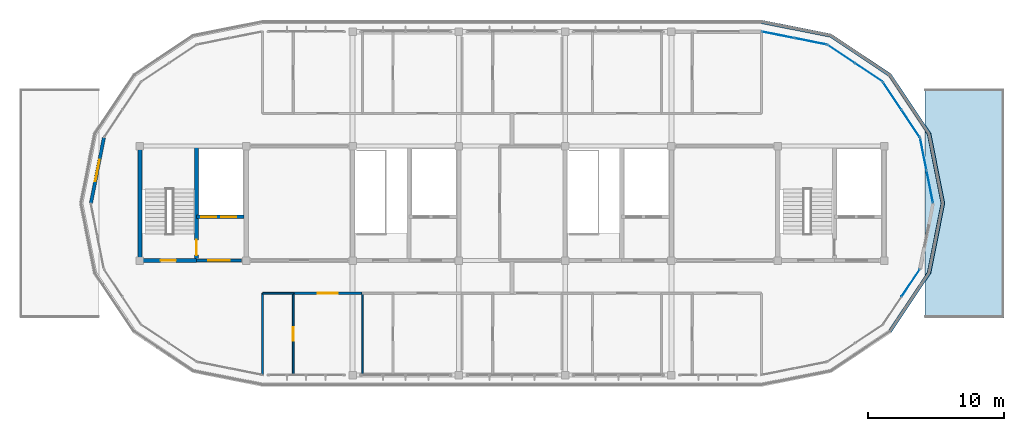
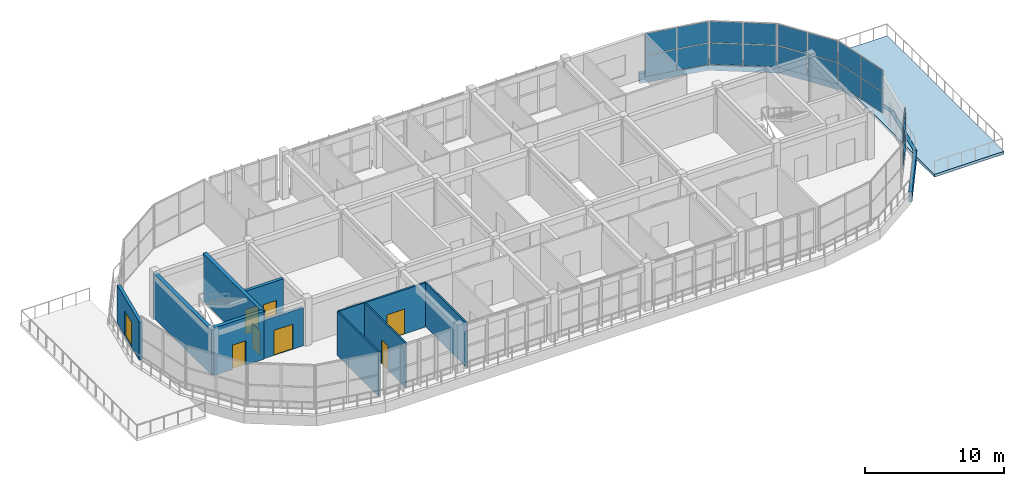
# One storey, part 28 of 33: 24 plates, 11 walls, 8 doors, 1 slab, 8 openings, 5 elements without a shape of their own.
"""IFC4 building model written with IfcOpenShell, lengths in metres."""

from ifc_helpers import new_model, si_unit, direction, frame, frame_2d, origin, origin_2d, place, context, subcontext, project, spatial, polyline, rectangle, outline, extrude, material, layer, layer_set, type_object, element, fill, aggregate, save


model = new_model("IFC4")

# Units and contexts
model_context = context("Model", 3, precision=1e-05, world=origin(), true_north=direction((0.0, 1.0)))
body_context = subcontext(model_context, "Body", "Model", "MODEL_VIEW")
ifc_project = project(units=[si_unit("LENGTHUNIT", "METRE"), si_unit("AREAUNIT", "SQUARE_METRE"), si_unit("VOLUMEUNIT", "CUBIC_METRE"), si_unit("PLANEANGLEUNIT", "RADIAN"), si_unit("MASSUNIT", "GRAM", prefix="KILO")], contexts=[model_context])

# Site, building, storey
site_placement = place(None, origin())
site = spatial("IfcSite", under=ifc_project, at=site_placement, CompositionType="ELEMENT")
building_placement = place(site_placement, origin())
building = spatial("IfcBuilding", under=site, at=building_placement, Name="Zizhar Promenade General Hospital", CompositionType="ELEMENT")
storey_placement = place(building_placement, frame((0.0, 0.0, 39.0)))
storey = spatial("IfcBuildingStorey", under=building, at=storey_placement, Name="L09", CompositionType="ELEMENT", Elevation=39.0)

# Curtain wall, plates
ifc_material_1 = material(Name="Anodised aluminium 6063-T6 and low-E glass", Category="aluminium")
ifc_layer_1 = layer(ifc_material_1, 0.159912109375)
ifc_layer_set_1 = layer_set([ifc_layer_1], Name="Anodised aluminium 6063-T6 and low-E glass")
curtain_wall_type = type_object("IfcCurtainWallType", Name="CW-WARD-ARC", PredefinedType="NOTDEFINED", material=ifc_layer_set_1)
curtain_wall_1_placement = place(storey_placement, origin())
curtain_wall_1 = element("IfcCurtainWall", 1, at=curtain_wall_1_placement, inside=storey, type_object=curtain_wall_type, Name="Ward Semicircular End Glazing L09-03", PredefinedType="NOTDEFINED")
ifc_material_2 = material(Name="Low-E solar-control glass", Category="glass")
ifc_layer_2 = layer(ifc_material_2, 0.031982421875)
ifc_layer_set_2 = layer_set([ifc_layer_2], Name="Low-E solar-control glass")
plate_type_1 = type_object("IfcPlateType", Name="CWP-GLZ-32", PredefinedType="CURTAIN_PANEL", material=ifc_layer_set_2)
plate_1_placement = place(storey_placement, frame((103.349609375, 6.743896484375, 0.06005859375), z_axis=(0.0, 0.0, 1.0), x_axis=(-0.555582352095, -0.831461514468, 0.0)))
plate_1 = element("IfcPlate", 2, at=plate_1_placement, type_object=plate_type_1, Name="CW-12 panel 1.1", PredefinedType="CURTAIN_PANEL", context=body_context, shape_type="SweptSolid", body=[
    extrude(rectangle(XDim=2.3681640625, YDim=0.031982421875, at=origin_2d()), origin(), (0.0, 0.0, 1.0), 1.860107421875),
])
plate_2_placement = place(storey_placement, frame((103.349609375, 6.743896484375, 1.97998046875), z_axis=(0.0, 0.0, 1.0), x_axis=(-0.555582352095, -0.831461514468, 0.0)))
plate_2 = element("IfcPlate", 3, at=plate_2_placement, type_object=plate_type_1, Name="CW-12 panel 1.2", PredefinedType="CURTAIN_PANEL", context=body_context, shape_type="SweptSolid", body=[
    extrude(rectangle(XDim=2.3681640625, YDim=0.031982421875, at=origin_2d()), origin(), (0.0, 0.0, 1.0), 1.860107421875),
])
aggregate(curtain_wall_1, [plate_1, plate_2])

curtain_wall_2_placement = place(storey_placement, origin())
curtain_wall_2 = element("IfcCurtainWall", 4, at=curtain_wall_2_placement, inside=storey, type_object=curtain_wall_type, Name="Ward Semicircular End Glazing L09-05", PredefinedType="NOTDEFINED")
plate_3_placement = place(storey_placement, frame((104.28369140625, 16.20166015625, 0.06005859375), z_axis=(0.0, 0.0, 1.0), x_axis=(0.195087259275, -0.980785889615, 0.0)))
plate_3 = element("IfcPlate", 5, at=plate_3_placement, type_object=plate_type_1, Name="CW-12 panel 1.1", PredefinedType="CURTAIN_PANEL", context=body_context, shape_type="SweptSolid", body=[
    extrude(rectangle(XDim=2.3681640625, YDim=0.031982421875, at=origin_2d()), origin(), (0.0, 0.0, 1.0), 1.860107421875),
])
plate_4_placement = place(storey_placement, frame((104.28369140625, 16.20166015625, 1.97998046875), z_axis=(0.0, 0.0, 1.0), x_axis=(0.195087259275, -0.980785889615, 0.0)))
plate_4 = element("IfcPlate", 6, at=plate_4_placement, type_object=plate_type_1, Name="CW-12 panel 1.2", PredefinedType="CURTAIN_PANEL", context=body_context, shape_type="SweptSolid", body=[
    extrude(rectangle(XDim=2.3681640625, YDim=0.031982421875, at=origin_2d()), origin(), (0.0, 0.0, 1.0), 1.860107421875),
])
plate_5_placement = place(storey_placement, frame((104.75732421875, 13.820068359375, 0.06005859375), z_axis=(0.0, 0.0, 1.0), x_axis=(0.195087259275, -0.980785889615, 0.0)))
plate_5 = element("IfcPlate", 7, at=plate_5_placement, type_object=plate_type_1, Name="CW-12 panel 2.1", PredefinedType="CURTAIN_PANEL", context=body_context, shape_type="SweptSolid", body=[
    extrude(rectangle(XDim=2.3681640625, YDim=0.031982421875, at=origin_2d()), origin(), (0.0, 0.0, 1.0), 1.860107421875),
])
plate_6_placement = place(storey_placement, frame((104.75732421875, 13.820068359375, 1.97998046875), z_axis=(0.0, 0.0, 1.0), x_axis=(0.195087259275, -0.980785889615, 0.0)))
plate_6 = element("IfcPlate", 8, at=plate_6_placement, type_object=plate_type_1, Name="CW-12 panel 2.2", PredefinedType="CURTAIN_PANEL", context=body_context, shape_type="SweptSolid", body=[
    extrude(rectangle(XDim=2.3681640625, YDim=0.031982421875, at=origin_2d()), origin(), (0.0, 0.0, 1.0), 1.860107421875),
])
aggregate(curtain_wall_2, [plate_3, plate_4, plate_5, plate_6])

curtain_wall_3_placement = place(storey_placement, origin())
curtain_wall_3 = element("IfcCurtainWall", 9, at=curtain_wall_3_placement, inside=storey, type_object=curtain_wall_type, Name="Ward Semicircular End Glazing L09-06", PredefinedType="NOTDEFINED")
plate_7_placement = place(storey_placement, frame((102.000732421875, 20.47509765625, 0.06005859375), z_axis=(0.0, 0.0, 1.0), x_axis=(0.555582352095, -0.831461514468, 0.0)))
plate_7 = element("IfcPlate", 10, at=plate_7_placement, type_object=plate_type_1, Name="CW-12 panel 1.1", PredefinedType="CURTAIN_PANEL", context=body_context, shape_type="SweptSolid", body=[
    extrude(rectangle(XDim=2.3681640625, YDim=0.031982421875, at=origin_2d()), origin(), (0.0, 0.0, 1.0), 1.860107421875),
])
plate_8_placement = place(storey_placement, frame((102.000732421875, 20.47509765625, 1.97998046875), z_axis=(0.0, 0.0, 1.0), x_axis=(0.555582352095, -0.831461514468, 0.0)))
plate_8 = element("IfcPlate", 11, at=plate_8_placement, type_object=plate_type_1, Name="CW-12 panel 1.2", PredefinedType="CURTAIN_PANEL", context=body_context, shape_type="SweptSolid", body=[
    extrude(rectangle(XDim=2.3681640625, YDim=0.031982421875, at=origin_2d()), origin(), (0.0, 0.0, 1.0), 1.860107421875),
])
plate_9_placement = place(storey_placement, frame((103.349609375, 18.456298828125, 0.06005859375), z_axis=(0.0, 0.0, 1.0), x_axis=(0.555582352095, -0.831461514468, 0.0)))
plate_9 = element("IfcPlate", 12, at=plate_9_placement, type_object=plate_type_1, Name="CW-12 panel 2.1", PredefinedType="CURTAIN_PANEL", context=body_context, shape_type="SweptSolid", body=[
    extrude(rectangle(XDim=2.3681640625, YDim=0.031982421875, at=origin_2d()), origin(), (0.0, 0.0, 1.0), 1.860107421875),
])
plate_10_placement = place(storey_placement, frame((103.349609375, 18.456298828125, 1.97998046875), z_axis=(0.0, 0.0, 1.0), x_axis=(0.555582352095, -0.831461514468, 0.0)))
plate_10 = element("IfcPlate", 13, at=plate_10_placement, type_object=plate_type_1, Name="CW-12 panel 2.2", PredefinedType="CURTAIN_PANEL", context=body_context, shape_type="SweptSolid", body=[
    extrude(rectangle(XDim=2.3681640625, YDim=0.031982421875, at=origin_2d()), origin(), (0.0, 0.0, 1.0), 1.860107421875),
])
aggregate(curtain_wall_3, [plate_7, plate_8, plate_9, plate_10])

curtain_wall_4_placement = place(storey_placement, origin())
curtain_wall_4 = element("IfcCurtainWall", 14, at=curtain_wall_4_placement, inside=storey, type_object=curtain_wall_type, Name="Ward Semicircular End Glazing L09-07", PredefinedType="NOTDEFINED")
plate_11_placement = place(storey_placement, frame((98.256103515625, 23.5498046875, 0.06005859375), z_axis=(0.0, 0.0, 1.0), x_axis=(0.831461514468, -0.555582352095, 0.0)))
plate_11 = element("IfcPlate", 15, at=plate_11_placement, type_object=plate_type_1, Name="CW-12 panel 1.1", PredefinedType="CURTAIN_PANEL", context=body_context, shape_type="SweptSolid", body=[
    extrude(rectangle(XDim=2.3681640625, YDim=0.031982421875, at=origin_2d()), origin(), (0.0, 0.0, 1.0), 1.860107421875),
])
plate_12_placement = place(storey_placement, frame((98.256103515625, 23.5498046875, 1.97998046875), z_axis=(0.0, 0.0, 1.0), x_axis=(0.831461514468, -0.555582352095, 0.0)))
plate_12 = element("IfcPlate", 16, at=plate_12_placement, type_object=plate_type_1, Name="CW-12 panel 1.2", PredefinedType="CURTAIN_PANEL", context=body_context, shape_type="SweptSolid", body=[
    extrude(rectangle(XDim=2.3681640625, YDim=0.031982421875, at=origin_2d()), origin(), (0.0, 0.0, 1.0), 1.860107421875),
])
plate_13_placement = place(storey_placement, frame((100.275146484375, 22.20068359375, 0.06005859375), z_axis=(0.0, 0.0, 1.0), x_axis=(0.831461514468, -0.555582352095, 0.0)))
plate_13 = element("IfcPlate", 17, at=plate_13_placement, type_object=plate_type_1, Name="CW-12 panel 2.1", PredefinedType="CURTAIN_PANEL", context=body_context, shape_type="SweptSolid", body=[
    extrude(rectangle(XDim=2.3681640625, YDim=0.031982421875, at=origin_2d()), origin(), (0.0, 0.0, 1.0), 1.860107421875),
])
plate_14_placement = place(storey_placement, frame((100.275146484375, 22.20068359375, 1.97998046875), z_axis=(0.0, 0.0, 1.0), x_axis=(0.831461514468, -0.555582352095, 0.0)))
plate_14 = element("IfcPlate", 18, at=plate_14_placement, type_object=plate_type_1, Name="CW-12 panel 2.2", PredefinedType="CURTAIN_PANEL", context=body_context, shape_type="SweptSolid", body=[
    extrude(rectangle(XDim=2.3681640625, YDim=0.031982421875, at=origin_2d()), origin(), (0.0, 0.0, 1.0), 1.860107421875),
])
aggregate(curtain_wall_4, [plate_11, plate_12, plate_13, plate_14])

curtain_wall_5_placement = place(storey_placement, origin())
curtain_wall_5 = element("IfcCurtainWall", 19, at=curtain_wall_5_placement, inside=storey, type_object=curtain_wall_type, Name="Ward Semicircular End Glazing L09-08", PredefinedType="NOTDEFINED")
plate_15_placement = place(storey_placement, frame((93.6201171875, 24.957275390625, 0.06005859375), z_axis=(0.0, 0.0, 1.0), x_axis=(0.980785889615, -0.195087259275, 0.0)))
plate_15 = element("IfcPlate", 20, at=plate_15_placement, type_object=plate_type_1, Name="CW-12 panel 1.1", PredefinedType="CURTAIN_PANEL", context=body_context, shape_type="SweptSolid", body=[
    extrude(rectangle(XDim=2.3681640625, YDim=0.031982421875, at=origin_2d()), origin(), (0.0, 0.0, 1.0), 1.860107421875),
])
plate_16_placement = place(storey_placement, frame((93.6201171875, 24.957275390625, 1.97998046875), z_axis=(0.0, 0.0, 1.0), x_axis=(0.980785889615, -0.195087259275, 0.0)))
plate_16 = element("IfcPlate", 21, at=plate_16_placement, type_object=plate_type_1, Name="CW-12 panel 1.2", PredefinedType="CURTAIN_PANEL", context=body_context, shape_type="SweptSolid", body=[
    extrude(rectangle(XDim=2.3681640625, YDim=0.031982421875, at=origin_2d()), origin(), (0.0, 0.0, 1.0), 1.860107421875),
])
plate_17_placement = place(storey_placement, frame((96.001708984375, 24.483642578125, 0.06005859375), z_axis=(0.0, 0.0, 1.0), x_axis=(0.980785889615, -0.195087259275, 0.0)))
plate_17 = element("IfcPlate", 22, at=plate_17_placement, type_object=plate_type_1, Name="CW-12 panel 2.1", PredefinedType="CURTAIN_PANEL", context=body_context, shape_type="SweptSolid", body=[
    extrude(rectangle(XDim=2.3681640625, YDim=0.031982421875, at=origin_2d()), origin(), (0.0, 0.0, 1.0), 1.860107421875),
])
plate_18_placement = place(storey_placement, frame((96.001708984375, 24.483642578125, 1.97998046875), z_axis=(0.0, 0.0, 1.0), x_axis=(0.980785889615, -0.195087259275, 0.0)))
plate_18 = element("IfcPlate", 23, at=plate_18_placement, type_object=plate_type_1, Name="CW-12 panel 2.2", PredefinedType="CURTAIN_PANEL", context=body_context, shape_type="SweptSolid", body=[
    extrude(rectangle(XDim=2.3681640625, YDim=0.031982421875, at=origin_2d()), origin(), (0.0, 0.0, 1.0), 1.860107421875),
])
aggregate(curtain_wall_5, [plate_15, plate_16, plate_17, plate_18])

# Plates
ifc_material_3 = material(Name="Precast concrete C40/50", Category="concrete")
ifc_layer_3 = layer(ifc_material_3, 0.260009765625)
ifc_layer_set_3 = layer_set([ifc_layer_3], Name="Precast concrete C40/50")
plate_type_2 = type_object("IfcPlateType", Name="PL-PC-BAND950", PredefinedType="USERDEFINED", material=ifc_layer_set_3)
plate_19_placement = place(storey_placement, frame((0.0, 0.0, -0.89990234375)))
element("IfcPlate", 24, at=plate_19_placement, inside=storey, type_object=plate_type_2, Name="Ward Precast Slab Band L09-03", ObjectType="FASCIA_BAND", PredefinedType="USERDEFINED", context=body_context, shape_type="SweptSolid", body=[
    extrude(outline(polyline([(101.91064453125, 3.08935546875), (104.826171875, 7.452880859375), (104.610107421875, 7.597412109375), (101.6943359375, 3.23388671875), (101.91064453125, 3.08935546875)])), origin(), (0.0, 0.0, 1.0), 0.89990234375),
])
plate_20_placement = place(storey_placement, frame((0.0, 0.0, -0.89990234375)))
element("IfcPlate", 25, at=plate_20_placement, inside=storey, type_object=plate_type_2, Name="Ward Precast Slab Band L09-04", ObjectType="FASCIA_BAND", PredefinedType="USERDEFINED", context=body_context, shape_type="SweptSolid", body=[
    extrude(outline(polyline([(104.826171875, 7.452880859375), (105.85009765625, 12.60009765625), (105.594970703125, 12.650634765625), (104.5712890625, 7.503662109375), (104.826171875, 7.452880859375)])), origin(), (0.0, 0.0, 1.0), 0.89990234375),
])
plate_21_placement = place(storey_placement, frame((0.0, 0.0, -0.89990234375)))
element("IfcPlate", 26, at=plate_21_placement, inside=storey, type_object=plate_type_2, Name="Ward Precast Slab Band L09-05", ObjectType="FASCIA_BAND", PredefinedType="USERDEFINED", context=body_context, shape_type="SweptSolid", body=[
    extrude(outline(polyline([(105.85009765625, 12.60009765625), (104.826171875, 17.7470703125), (104.5712890625, 17.6962890625), (105.594970703125, 12.54931640625), (105.85009765625, 12.60009765625)])), origin(), (0.0, 0.0, 1.0), 0.89990234375),
])
plate_22_placement = place(storey_placement, frame((0.0, 0.0, -0.89990234375)))
element("IfcPlate", 27, at=plate_22_placement, inside=storey, type_object=plate_type_2, Name="Ward Precast Slab Band L09-06", ObjectType="FASCIA_BAND", PredefinedType="USERDEFINED", context=body_context, shape_type="SweptSolid", body=[
    extrude(outline(polyline([(104.826171875, 17.7470703125), (101.91064453125, 22.110595703125), (101.6943359375, 21.96630859375), (104.610107421875, 17.602783203125), (104.826171875, 17.7470703125)])), origin(), (0.0, 0.0, 1.0), 0.89990234375),
])
plate_23_placement = place(storey_placement, frame((0.0, 0.0, -0.89990234375)))
element("IfcPlate", 28, at=plate_23_placement, inside=storey, type_object=plate_type_2, Name="Ward Precast Slab Band L09-07", ObjectType="FASCIA_BAND", PredefinedType="USERDEFINED", context=body_context, shape_type="SweptSolid", body=[
    extrude(outline(polyline([(101.91064453125, 22.110595703125), (97.547119140625, 25.026123046875), (97.402587890625, 24.81005859375), (101.76611328125, 21.894287109375), (101.91064453125, 22.110595703125)])), origin(), (0.0, 0.0, 1.0), 0.89990234375),
])
plate_24_placement = place(storey_placement, frame((0.0, 0.0, -0.89990234375)))
element("IfcPlate", 29, at=plate_24_placement, inside=storey, type_object=plate_type_2, Name="Ward Precast Slab Band L09-08", ObjectType="FASCIA_BAND", PredefinedType="USERDEFINED", context=body_context, shape_type="SweptSolid", body=[
    extrude(outline(polyline([(97.547119140625, 25.026123046875), (92.39990234375, 26.050048828125), (92.349365234375, 25.794921875), (97.496337890625, 24.771240234375), (97.547119140625, 25.026123046875)])), origin(), (0.0, 0.0, 1.0), 0.89990234375),
])

# Slab
ifc_material_4 = material(Name="Concrete C35/45", Category="concrete")
ifc_layer_4 = layer(ifc_material_4, 0.25)
ifc_layer_set_4 = layer_set([ifc_layer_4], Name="Concrete C35/45")
slab_type = type_object("IfcSlabType", Name="SLB-TERR-250", PredefinedType="ROOF", material=ifc_layer_set_4)
slab_placement = place(storey_placement, frame((0.0, 0.0, -0.25)))
element("IfcSlab", 30, at=slab_placement, inside=storey, type_object=slab_type, Name="Level L09 East Recovery Terrace Slab", PredefinedType="ROOF", context=body_context, shape_type="SweptSolid", body=[
    extrude(outline(polyline([(104.39990234375, 4.199951171875), (110.199951171875, 4.199951171875), (110.199951171875, 21.0), (104.39990234375, 21.0), (104.39990234375, 4.199951171875)])), origin(), (0.0, 0.0, 1.0), 0.25),
])

# Wall, opening, door
ifc_material_5 = material(Name="Precast concrete C40/50", Category="concrete")
ifc_layer_5 = layer(ifc_material_5, 0.2451171875)
ifc_layer_set_5 = layer_set([ifc_layer_5], Name="Precast concrete C40/50")
wall_type_1 = type_object("IfcWallType", Name="EW-PC-245", PredefinedType="STANDARD", material=ifc_layer_set_5)
wall_1_placement = place(storey_placement, frame((43.199951171875, 12.60009765625, 0.0), z_axis=(0.0, 0.0, 1.0), x_axis=(0.195113286981, 0.980780712108, 0.0)))
wall_1 = element("IfcWall", 31, at=wall_1_placement, inside=storey, type_object=wall_type_1, Name="Ward West Terrace Portal Wall L09", PredefinedType="STANDARD", context=body_context, shape_type="SweptSolid", body=[
    extrude(rectangle(XDim=4.916259765625, YDim=0.2451171875, at=frame_2d((2.4580078125, 0.0))), origin(), (0.0, 0.0, 1.0), 3.3701171875),
])
opening_1_placement = place(wall_1_placement, frame((1.658203125, 0.0, 0.0)))
opening_1 = element("IfcOpeningElement", 32, at=opening_1_placement, cuts=wall_1, Name="Opening ED-05", PredefinedType="OPENING", context=body_context, shape_type="SweptSolid", body=[
    extrude(rectangle(XDim=1.60009765625, YDim=2.199951171875, at=frame_2d((0.800048828125, 1.10009765625))), frame((0.0, 0.132568359375, 0.0), z_axis=(0.0, -1.0, 0.0), x_axis=(1.0, 0.0, 0.0)), (0.0, 0.0, 1.0), 0.26513671875),
])
ifc_material_6 = material(Name="Anodised aluminium 6063-T6 and laminated safety glass", Category="aluminium")
door_type_1 = type_object("IfcDoorType", Name="DR-EXT-TERR-160x220", OperationType="DOUBLE_DOOR_SINGLE_SWING", PredefinedType="DOOR", material=ifc_material_6)
door_1_placement = place(opening_1_placement, origin())
door_1 = element("IfcDoor", 33, at=door_1_placement, inside=storey, type_object=door_type_1, Name="Level L09 West Recovery Terrace Door", OperationType="DOUBLE_DOOR_SINGLE_SWING", OverallHeight=2.199951171875, OverallWidth=1.60009765625, PredefinedType="DOOR", context=body_context, shape_type="SweptSolid", body=[
    extrude(rectangle(XDim=1.60009765625, YDim=2.199951171875, at=frame_2d((0.800048828125, 1.10009765625))), frame((0.0, 0.02490234375, 0.0), z_axis=(0.0, -1.0, 0.0), x_axis=(1.0, 0.0, 0.0)), (0.0, 0.0, 1.0), 0.050048828125),
])
fill(opening_1, door_1)

ifc_material_7 = material(Name="Concrete C35/45", Category="concrete")
ifc_layer_6 = layer(ifc_material_7, 0.215087890625)
ifc_layer_set_6 = layer_set([ifc_layer_6], Name="Concrete C35/45")
wall_type_2 = type_object("IfcWallType", Name="IW-LOBBY-215", PredefinedType="STANDARD", material=ifc_layer_set_6)
wall_2_placement = place(storey_placement, frame((50.949951171875, 8.39990234375, 0.0), z_axis=(0.0, 0.0, 1.0), x_axis=(1.0, 0.0, 0.0)))
wall_2 = element("IfcWall", 34, at=wall_2_placement, inside=storey, type_object=wall_type_2, Name="Core C2 Lift Lobby South Fire Wall (L09)", PredefinedType="STANDARD", context=body_context, shape_type="SweptSolid", body=[
    extrude(rectangle(XDim=3.2900390625, YDim=0.215087890625, at=frame_2d((1.64501953125, 0.0))), origin(), (0.0, 0.0, 1.0), 3.3701171875),
])
opening_2_placement = place(wall_2_placement, frame((0.864990234375, 0.0, 0.0)))
opening_2 = element("IfcOpeningElement", 35, at=opening_2_placement, cuts=wall_2, Name="Opening D-22", PredefinedType="OPENING", context=body_context, shape_type="SweptSolid", body=[
    extrude(rectangle(XDim=1.56005859375, YDim=2.199951171875, at=frame_2d((0.780029296875, 1.10009765625))), frame((0.0, 0.11767578125, 0.0), z_axis=(0.0, -1.0, 0.0), x_axis=(1.0, 0.0, 0.0)), (0.0, 0.0, 1.0), 0.235107421875),
])
ifc_material_8 = material(Name="Steel S355 firefighting lobby pair", Category="steel")
door_type_2 = type_object("IfcDoorType", Name="DR-LOBBY-FF-156x220", OperationType="DOUBLE_DOOR_SINGLE_SWING", PredefinedType="DOOR", material=ifc_material_8)
door_2_placement = place(opening_2_placement, origin())
door_2 = element("IfcDoor", 36, at=door_2_placement, inside=storey, type_object=door_type_2, Name="Core C2 Firefighting Lift Lobby Door (L09)", OperationType="DOUBLE_DOOR_SINGLE_SWING", OverallHeight=2.199951171875, OverallWidth=1.56005859375, PredefinedType="DOOR", context=body_context, shape_type="SweptSolid", body=[
    extrude(rectangle(XDim=1.56005859375, YDim=2.199951171875, at=frame_2d((0.780029296875, 1.10009765625))), frame((0.0, 0.02490234375, 0.0), z_axis=(0.0, -1.0, 0.0), x_axis=(1.0, 0.0, 0.0)), (0.0, 0.0, 1.0), 0.050048828125),
])
fill(opening_2, door_2)

# Wall, openings, doors
ifc_material_9 = material(Name="Concrete C35/45", Category="concrete")
ifc_layer_7 = layer(ifc_material_9, 0.25)
ifc_layer_set_7 = layer_set([ifc_layer_7], Name="Concrete C35/45")
wall_type_3 = type_object("IfcWallType", Name="IW-SHAFT-250", PredefinedType="STANDARD", material=ifc_layer_set_7)
wall_3_placement = place(storey_placement, frame((50.949951171875, 11.60009765625, 0.0), z_axis=(0.0, 0.0, 1.0), x_axis=(1.0, 0.0, 0.0)))
wall_3 = element("IfcWall", 37, at=wall_3_placement, inside=storey, type_object=wall_type_3, Name="Core C2 Lift Shaft Landing Wall (L09)", PredefinedType="STANDARD", context=body_context, shape_type="SweptSolid", body=[
    extrude(rectangle(XDim=3.5, YDim=0.25, at=frame_2d((1.75, 0.0))), origin(), (0.0, 0.0, 1.0), 3.89990234375),
])
opening_3_placement = place(wall_3_placement, frame((0.35009765625, 0.0, 0.0)))
opening_3 = element("IfcOpeningElement", 38, at=opening_3_placement, cuts=wall_3, Name="Opening LD-11", PredefinedType="OPENING", context=body_context, shape_type="SweptSolid", body=[
    extrude(rectangle(XDim=1.10009765625, YDim=2.199951171875, at=frame_2d((0.550048828125, 1.10009765625))), frame((0.0, 0.135009765625, 0.0), z_axis=(0.0, -1.0, 0.0), x_axis=(1.0, 0.0, 0.0)), (0.0, 0.0, 1.0), 0.27001953125),
])
opening_4_placement = place(wall_3_placement, frame((1.800048828125, 0.0, 0.0)))
opening_4 = element("IfcOpeningElement", 39, at=opening_4_placement, cuts=wall_3, Name="Opening LD-11", PredefinedType="OPENING", context=body_context, shape_type="SweptSolid", body=[
    extrude(rectangle(XDim=1.10009765625, YDim=2.199951171875, at=frame_2d((0.550048828125, 1.10009765625))), frame((0.0, 0.135009765625, 0.0), z_axis=(0.0, -1.0, 0.0), x_axis=(1.0, 0.0, 0.0)), (0.0, 0.0, 1.0), 0.27001953125),
])
ifc_material_10 = material(Name="Stainless Steel S355 passenger lift landing door", Category="steel")
door_type_3 = type_object("IfcDoorType", Name="DR-LIFT-LD11", OperationType="SLIDING_TO_LEFT", PredefinedType="DOOR", material=ifc_material_10)
door_3_placement = place(opening_3_placement, origin())
door_3 = element("IfcDoor", 40, at=door_3_placement, inside=storey, type_object=door_type_3, Name="Lift LF-01 Sliding Landing Door (L09)", OperationType="SLIDING_TO_LEFT", OverallHeight=2.199951171875, OverallWidth=1.10009765625, PredefinedType="DOOR", context=body_context, shape_type="SweptSolid", body=[
    extrude(rectangle(XDim=1.10009765625, YDim=2.199951171875, at=frame_2d((0.550048828125, 1.10009765625))), frame((0.0, 0.02490234375, 0.0), z_axis=(0.0, -1.0, 0.0), x_axis=(1.0, 0.0, 0.0)), (0.0, 0.0, 1.0), 0.050048828125),
])
fill(opening_3, door_3)
door_4_placement = place(opening_4_placement, origin())
door_4 = element("IfcDoor", 41, at=door_4_placement, inside=storey, type_object=door_type_3, Name="Lift LB-01 Sliding Landing Door (L09)", OperationType="SLIDING_TO_LEFT", OverallHeight=2.199951171875, OverallWidth=1.10009765625, PredefinedType="DOOR", context=body_context, shape_type="SweptSolid", body=[
    extrude(rectangle(XDim=1.10009765625, YDim=2.199951171875, at=frame_2d((0.550048828125, 1.10009765625))), frame((0.0, 0.02490234375, 0.0), z_axis=(0.0, -1.0, 0.0), x_axis=(1.0, 0.0, 0.0)), (0.0, 0.0, 1.0), 0.050048828125),
])
fill(opening_4, door_4)

# Wall, opening, door
ifc_material_11 = material(Name="Acoustic patient bedroom partition")
ifc_layer_8 = layer(ifc_material_11, 0.155029296875)
ifc_layer_set_8 = layer_set([ifc_layer_8], Name="Acoustic patient bedroom partition")
wall_type_4 = type_object("IfcWallType", Name="IW-WARD-155", PredefinedType="PARTITIONING", material=ifc_layer_set_8)
wall_4_placement = place(storey_placement, frame((58.06005859375, 6.0, 0.0), z_axis=(0.0, 0.0, 1.0), x_axis=(1.0, 0.0, 0.0)))
wall_4 = element("IfcWall", 42, at=wall_4_placement, inside=storey, type_object=wall_type_4, Name="Oncology Isolation Ward L09-S01 N Partition", PredefinedType="PARTITIONING", context=body_context, shape_type="SweptSolid", body=[
    extrude(rectangle(XDim=5.050048828125, YDim=0.155029296875, at=frame_2d((2.52490234375, 0.0))), origin(), (0.0, 0.0, 1.0), 3.89990234375),
])
opening_5_placement = place(wall_4_placement, frame((1.800048828125, 0.0, 0.0)))
opening_5 = element("IfcOpeningElement", 43, at=opening_5_placement, cuts=wall_4, Name="Opening D-07", PredefinedType="OPENING", context=body_context, shape_type="SweptSolid", body=[
    extrude(rectangle(XDim=1.449951171875, YDim=2.199951171875, at=frame_2d((0.72509765625, 1.10009765625))), frame((0.0, 0.08740234375, 0.0), z_axis=(0.0, -1.0, 0.0), x_axis=(1.0, 0.0, 0.0)), (0.0, 0.0, 1.0), 0.175048828125),
])
ifc_material_12 = material(Name="Fire-rated timber airlock bed leaf", Category="wood")
door_type_4 = type_object("IfcDoorType", Name="DR-BED-ISO-145x220", OperationType="NOTDEFINED", PredefinedType="DOOR", material=ifc_material_12)
door_5_placement = place(opening_5_placement, origin())
door_5 = element("IfcDoor", 44, at=door_5_placement, inside=storey, type_object=door_type_4, Name="Oncology Isolation Ward L09-S01 Door", OperationType="SINGLE_SWING_RIGHT", OverallHeight=2.199951171875, OverallWidth=1.449951171875, PredefinedType="DOOR", context=body_context, shape_type="SweptSolid", body=[
    extrude(rectangle(XDim=1.449951171875, YDim=2.199951171875, at=frame_2d((0.72509765625, 1.10009765625))), frame((0.0, 0.02490234375, 0.0), z_axis=(0.0, -1.0, 0.0), x_axis=(1.0, 0.0, 0.0)), (0.0, 0.0, 1.0), 0.050048828125),
])
fill(opening_5, door_5)

# Walls
ifc_material_13 = material(Name="Moisture-resistant en-suite wet partition")
ifc_layer_9 = layer(ifc_material_13, 0.125)
ifc_layer_set_9 = layer_set([ifc_layer_9], Name="Moisture-resistant en-suite wet partition")
wall_type_5 = type_object("IfcWallType", Name="IW-WET-125", PredefinedType="PARTITIONING", material=ifc_layer_set_9)
wall_5_placement = place(storey_placement, frame((55.800048828125, 6.0, 0.0), z_axis=(0.0, 0.0, 1.0), x_axis=(1.0, 0.0, 0.0)))
element("IfcWall", 45, at=wall_5_placement, inside=storey, type_object=wall_type_5, Name="En-Suite Patient Bathroom L09-S01 N Partition", PredefinedType="PARTITIONING", context=body_context, shape_type="SweptSolid", body=[
    extrude(rectangle(XDim=2.25, YDim=0.125, at=frame_2d((1.125, 0.0))), origin(), (0.0, 0.0, 1.0), 3.89990234375),
])
wall_6_placement = place(storey_placement, frame((55.800048828125, 0.044921875, 0.0), z_axis=(0.0, 0.0, 1.0), x_axis=(0.0, 1.0, 0.0)))
element("IfcWall", 46, at=wall_6_placement, inside=storey, type_object=wall_type_5, Name="En-Suite Patient Bathroom L09-S01 W Partition", PredefinedType="PARTITIONING", context=body_context, shape_type="SweptSolid", body=[
    extrude(rectangle(XDim=5.955078125, YDim=0.125, at=frame_2d((2.9775390625, 0.0))), origin(), (0.0, 0.0, 1.0), 3.89990234375),
])

# Wall, opening, door
wall_7_placement = place(storey_placement, frame((58.050048828125, 0.044921875, 0.0), z_axis=(0.0, 0.0, 1.0), x_axis=(0.0, 1.0, 0.0)))
wall_7 = element("IfcWall", 47, at=wall_7_placement, inside=storey, type_object=wall_type_5, Name="En-Suite Patient Bathroom L09-S01 E Partition", PredefinedType="PARTITIONING", context=body_context, shape_type="SweptSolid", body=[
    extrude(rectangle(XDim=5.955078125, YDim=0.125, at=frame_2d((2.9775390625, 0.0))), origin(), (0.0, 0.0, 1.0), 3.89990234375),
])
opening_6_placement = place(wall_7_placement, frame((2.487548828125, 0.0, 0.0)))
opening_6 = element("IfcOpeningElement", 48, at=opening_6_placement, cuts=wall_7, Name="Opening D-17", PredefinedType="OPENING", context=body_context, shape_type="SweptSolid", body=[
    extrude(rectangle(XDim=0.97998046875, YDim=2.10009765625, at=frame_2d((0.489990234375, 1.050048828125))), frame((0.0, 0.072509765625, 0.0), z_axis=(0.0, -1.0, 0.0), x_axis=(1.0, 0.0, 0.0)), (0.0, 0.0, 1.0), 0.14501953125),
])
ifc_material_14 = material(Name="Moisture-resistant timber PMR leaf", Category="wood")
door_type_5 = type_object("IfcDoorType", Name="DR-ENS-PMR-098x210", OperationType="NOTDEFINED", PredefinedType="DOOR", material=ifc_material_14)
door_6_placement = place(opening_6_placement, origin())
door_6 = element("IfcDoor", 49, at=door_6_placement, inside=storey, type_object=door_type_5, Name="En-Suite Patient Bathroom L09-S01 Door", OperationType="SINGLE_SWING_RIGHT", OverallHeight=2.10009765625, OverallWidth=0.97998046875, PredefinedType="DOOR", context=body_context, shape_type="SweptSolid", body=[
    extrude(rectangle(XDim=0.97998046875, YDim=2.10009765625, at=frame_2d((0.489990234375, 1.050048828125))), frame((0.0, 0.02490234375, 0.0), z_axis=(0.0, -1.0, 0.0), x_axis=(1.0, 0.0, 0.0)), (0.0, 0.0, 1.0), 0.050048828125),
])
fill(opening_6, door_6)

# Walls
wall_8_placement = place(storey_placement, frame((63.1201171875, 0.044921875, 0.0), z_axis=(0.0, 0.0, 1.0), x_axis=(0.0, 1.0, 0.0)))
element("IfcWall", 50, at=wall_8_placement, inside=storey, type_object=wall_type_5, Name="En-Suite Patient Bathroom L09-S02 W Partition", PredefinedType="PARTITIONING", context=body_context, shape_type="SweptSolid", body=[
    extrude(rectangle(XDim=5.955078125, YDim=0.125, at=frame_2d((2.9775390625, 0.0))), origin(), (0.0, 0.0, 1.0), 3.89990234375),
])
ifc_material_15 = material(Name="Concrete C40/50", Category="concrete")
ifc_layer_10 = layer(ifc_material_15, 0.300048828125)
ifc_layer_set_10 = layer_set([ifc_layer_10], Name="Concrete C40/50")
wall_type_6 = type_object("IfcWallType", Name="WL-CORE-300", PredefinedType="SHEAR", material=ifc_layer_set_10)
wall_9_placement = place(storey_placement, frame((46.800048828125, 8.39990234375, 0.0), z_axis=(0.0, 0.0, 1.0), x_axis=(0.0, 1.0, 0.0)))
element("IfcWall", 51, at=wall_9_placement, inside=storey, type_object=wall_type_6, Name="Core C2 West Shear Wall L09", PredefinedType="SHEAR", context=body_context, shape_type="SweptSolid", body=[
    extrude(rectangle(XDim=8.400146484375, YDim=0.300048828125, at=frame_2d((4.2001953125, 0.0))), origin(), (0.0, 0.0, 1.0), 3.919921875),
])

# Wall, opening, door
wall_10_placement = place(storey_placement, frame((46.800048828125, 8.39990234375, 0.0), z_axis=(0.0, 0.0, 1.0), x_axis=(1.0, 0.0, 0.0)))
wall_10 = element("IfcWall", 52, at=wall_10_placement, inside=storey, type_object=wall_type_6, Name="Core C2 Stair South Fire Wall (L09)", PredefinedType="SHEAR", context=body_context, shape_type="SweptSolid", body=[
    extrude(rectangle(XDim=4.14990234375, YDim=0.300048828125, at=frame_2d((2.074951171875, 0.0))), origin(), (0.0, 0.0, 1.0), 4.199951171875),
])
opening_7_placement = place(wall_10_placement, frame((1.514892578125, 0.0, 0.0)))
opening_7 = element("IfcOpeningElement", 53, at=opening_7_placement, cuts=wall_10, Name="Opening D-21", PredefinedType="OPENING", context=body_context, shape_type="SweptSolid", body=[
    extrude(rectangle(XDim=1.1201171875, YDim=2.14990234375, at=frame_2d((0.56005859375, 1.074951171875))), frame((0.0, 0.16015625, 0.0), z_axis=(0.0, -1.0, 0.0), x_axis=(1.0, 0.0, 0.0)), (0.0, 0.0, 1.0), 0.320068359375),
])
ifc_material_16 = material(Name="Steel S355 protected stair door", Category="steel")
door_type_6 = type_object("IfcDoorType", Name="DR-STAIR-112x215", OperationType="NOTDEFINED", PredefinedType="DOOR", material=ifc_material_16)
door_7_placement = place(opening_7_placement, origin())
door_7 = element("IfcDoor", 54, at=door_7_placement, inside=storey, type_object=door_type_6, Name="Exit Stair ST-02 Door (L09)", OperationType="SINGLE_SWING_LEFT", OverallHeight=2.14990234375, OverallWidth=1.1201171875, PredefinedType="DOOR", context=body_context, shape_type="SweptSolid", body=[
    extrude(rectangle(XDim=1.1201171875, YDim=2.14990234375, at=frame_2d((0.56005859375, 1.074951171875))), frame((0.0, 0.02490234375, 0.0), z_axis=(0.0, -1.0, 0.0), x_axis=(1.0, 0.0, 0.0)), (0.0, 0.0, 1.0), 0.050048828125),
])
fill(opening_7, door_7)

wall_11_placement = place(storey_placement, frame((50.949951171875, 8.39990234375, 0.0), z_axis=(0.0, 0.0, 1.0), x_axis=(0.0, 1.0, 0.0)))
wall_11 = element("IfcWall", 55, at=wall_11_placement, inside=storey, type_object=wall_type_6, Name="Core C2 Stair-Shaft Separation Wall (L09)", PredefinedType="SHEAR", context=body_context, shape_type="SweptSolid", body=[
    extrude(rectangle(XDim=8.400146484375, YDim=0.300048828125, at=frame_2d((4.2001953125, 0.0))), origin(), (0.0, 0.0, 1.0), 4.199951171875),
])
opening_8_placement = place(wall_11_placement, frame((0.39990234375, 0.0, 0.0)))
opening_8 = element("IfcOpeningElement", 56, at=opening_8_placement, cuts=wall_11, Name="Opening D-21", PredefinedType="OPENING", context=body_context, shape_type="SweptSolid", body=[
    extrude(rectangle(XDim=1.1201171875, YDim=2.14990234375, at=frame_2d((0.56005859375, 1.074951171875))), frame((0.0, 0.16015625, 0.0), z_axis=(0.0, -1.0, 0.0), x_axis=(1.0, 0.0, 0.0)), (0.0, 0.0, 1.0), 0.320068359375),
])
door_8_placement = place(opening_8_placement, origin())
door_8 = element("IfcDoor", 57, at=door_8_placement, inside=storey, type_object=door_type_6, Name="Firefighting Lobby to Stair ST-02 Door (L09)", OperationType="SINGLE_SWING_RIGHT", OverallHeight=2.14990234375, OverallWidth=1.1201171875, PredefinedType="DOOR", context=body_context, shape_type="SweptSolid", body=[
    extrude(rectangle(XDim=1.1201171875, YDim=2.14990234375, at=frame_2d((0.56005859375, 1.074951171875))), frame((0.0, 0.02490234375, 0.0), z_axis=(0.0, -1.0, 0.0), x_axis=(1.0, 0.0, 0.0)), (0.0, 0.0, 1.0), 0.050048828125),
])
fill(opening_8, door_8)

save(model, "model.ifc")
